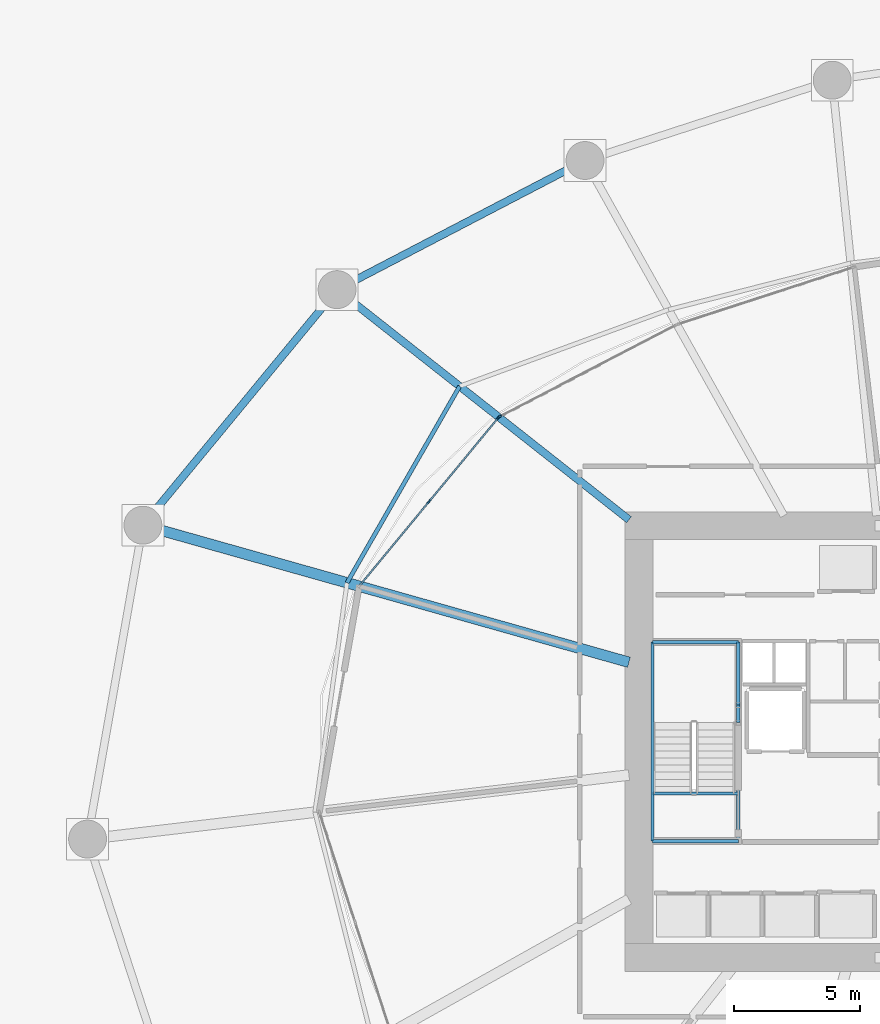
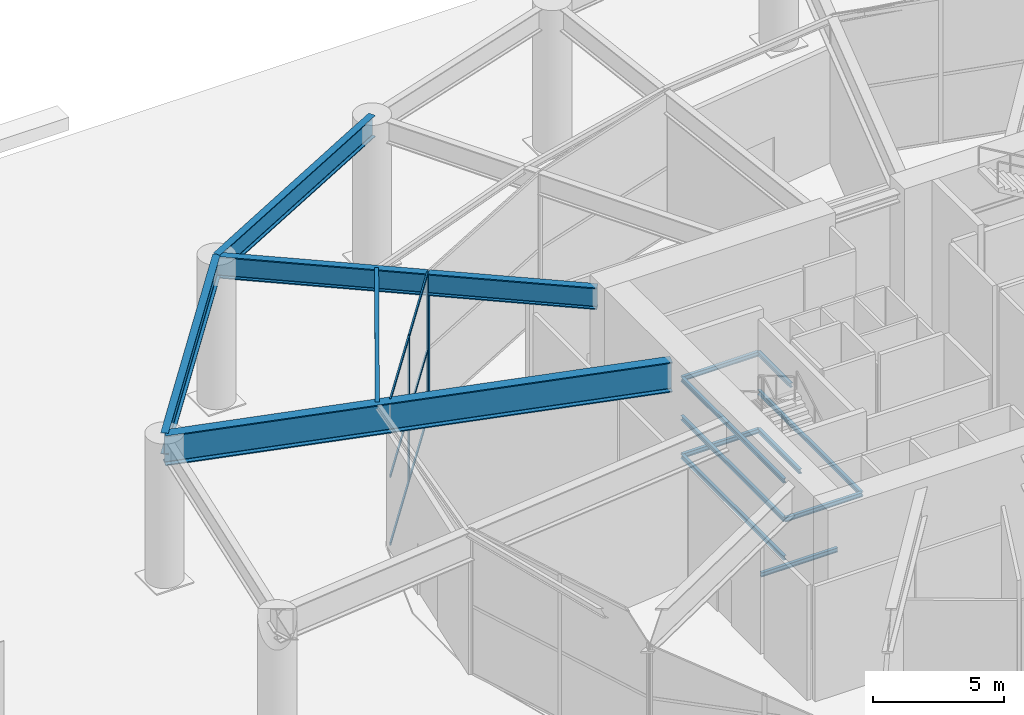
# One storey, part 10 of 28: 15 beams, 9 members, 2 elements without a shape of their own.
"""IFC4 building model written with IfcOpenShell, lengths in metres."""

from ifc_helpers import new_model, si_unit, direction, frame, origin, origin_2d, place, context, subcontext, project, spatial, rectangle, i_section, extrude, material, layer, layer_set, material_profile, profile_set, type_object, element, aggregate, save


model = new_model("IFC4")

# Units and contexts
model_context = context("Model", 3, precision=1e-05, world=origin(), true_north=direction((0.0, 1.0)))
body_context = subcontext(model_context, "Body", "Model", "MODEL_VIEW")
ifc_project = project(units=[si_unit("LENGTHUNIT", "METRE"), si_unit("AREAUNIT", "SQUARE_METRE"), si_unit("VOLUMEUNIT", "CUBIC_METRE"), si_unit("PLANEANGLEUNIT", "RADIAN"), si_unit("MASSUNIT", "GRAM", prefix="KILO")], contexts=[model_context])

# Site, building, storey
site_placement = place(None, origin())
site = spatial("IfcSite", under=ifc_project, at=site_placement, CompositionType="ELEMENT")
building_placement = place(site_placement, origin())
building = spatial("IfcBuilding", under=site, at=building_placement, Name="Kazma Halo Residences", CompositionType="ELEMENT")
storey_placement = place(building_placement, origin())
storey = spatial("IfcBuildingStorey", under=building, at=storey_placement, Name="L00", CompositionType="ELEMENT", Elevation=0.0)

# Beams
ifc_material_1 = material(Name="Steel S355", Category="steel")
ifc_material_profile_1 = material_profile(ifc_material_1, i_section(OverallWidth=0.1650390625, OverallDepth=0.31005859375, WebThickness=0.005859375, FlangeThickness=0.009765625, FilletRadius=0.011962890625, at=origin_2d()), Name="W310x38.7")
ifc_profile_set_1 = profile_set([ifc_material_profile_1], Name="Steel S355")
beam_type_1 = type_object("IfcBeamType", Name="BM-SEC-W310B", PredefinedType="JOIST", material=ifc_profile_set_1)
beam_1_placement = place(storey_placement, frame((30.145751953125, 56.0751953125, 6.64501953125), z_axis=(-0.497199727341, -0.867636116775, 0.0), x_axis=(0.867636116775, -0.497199727341, 0.0)))
element("IfcBeam", 1, at=beam_1_placement, inside=storey, type_object=beam_type_1, Name="L00 circumferential floor joist 06", PredefinedType="JOIST", context=body_context, shape_type="SweptSolid", body=[
    extrude(i_section(OverallWidth=0.1650390625, OverallDepth=0.31005859375, WebThickness=0.005859375, FlangeThickness=0.009765625, FilletRadius=0.011962890625, at=origin_2d()), origin(), (0.0, 0.0, 1.0), 8.96923828125),
])
ifc_material_profile_2 = material_profile(ifc_material_1, i_section(OverallWidth=0.419921875, OverallDepth=1.39990234375, WebThickness=0.02587890625, FlangeThickness=0.048095703125, FilletRadius=0.02392578125, at=origin_2d()), Name="PG1400x580")
ifc_profile_set_2 = profile_set([ifc_material_profile_2], Name="Steel S355")
beam_type_2 = type_object("IfcBeamType", Name="BM-TRANS-PG1400", PredefinedType="BEAM", material=ifc_profile_set_2)
beam_2_placement = place(storey_placement, frame((36.85009765625, 45.14453125, 6.10009765625), z_axis=(-0.962454909869, 0.271441607845, 0.0), x_axis=(-0.271441607845, -0.962454909869, 0.0)))
element("IfcBeam", 2, at=beam_2_placement, inside=storey, type_object=beam_type_2, Name="L00 lobe radial plate transfer girder 07", PredefinedType="BEAM", context=body_context, shape_type="SweptSolid", body=[
    extrude(i_section(OverallWidth=0.419921875, OverallDepth=1.39990234375, WebThickness=0.02587890625, FlangeThickness=0.048095703125, FilletRadius=0.02392578125, at=origin_2d()), origin(), (0.0, 0.0, 1.0), 19.99853515625),
])
ifc_material_profile_3 = material_profile(ifc_material_1, i_section(OverallWidth=0.302001953125, OverallDepth=1.01806640625, WebThickness=0.021484375, FlangeThickness=0.049072265625, FilletRadius=0.028076171875, at=origin_2d()), Name="W1000x443")
ifc_profile_set_3 = profile_set([ifc_material_profile_3], Name="Steel S355")
beam_type_3 = type_object("IfcBeamType", Name="BM-TRANS-W1000A", PredefinedType="BEAM", material=ifc_profile_set_3)
beam_3_placement = place(storey_placement, frame((36.85009765625, 50.7900390625, 6.291015625), z_axis=(-0.785321582594, 0.619088048594, 0.0), x_axis=(-0.619088048594, -0.785321582594, 0.0)))
element("IfcBeam", 3, at=beam_3_placement, inside=storey, type_object=beam_type_3, Name="L00 podium radial transfer girder 06", PredefinedType="BEAM", context=body_context, shape_type="SweptSolid", body=[
    extrude(i_section(OverallWidth=0.302001953125, OverallDepth=1.01806640625, WebThickness=0.021484375, FlangeThickness=0.049072265625, FilletRadius=0.028076171875, at=origin_2d()), origin(), (0.0, 0.0, 1.0), 14.718994140625),
])
ifc_material_profile_4 = material_profile(ifc_material_1, i_section(OverallWidth=0.300048828125, OverallDepth=1.0, WebThickness=0.01904296875, FlangeThickness=0.0400390625, FilletRadius=0.02587890625, at=origin_2d()), Name="W1000x371")
ifc_profile_set_4 = profile_set([ifc_material_profile_4], Name="Steel S355")
beam_type_4 = type_object("IfcBeamType", Name="BM-TRANS-W1000B", PredefinedType="BEAM", material=ifc_profile_set_4)
beam_4_placement = place(storey_placement, frame((35.110595703125, 65.015625, 6.300048828125), z_axis=(-0.886954171981, -0.461857442082, 0.0), x_axis=(0.461857442082, -0.886954171981, 0.0)))
element("IfcBeam", 4, at=beam_4_placement, inside=storey, type_object=beam_type_4, Name="L00 perimeter ring beam 05", PredefinedType="BEAM", context=body_context, shape_type="SweptSolid", body=[
    extrude(i_section(OverallWidth=0.300048828125, OverallDepth=1.0, WebThickness=0.01904296875, FlangeThickness=0.0400390625, FilletRadius=0.02587890625, at=origin_2d()), origin(), (0.0, 0.0, 1.0), 11.071044921875),
])
beam_5_placement = place(storey_placement, frame((25.291015625, 59.90234375, 6.300048828125), z_axis=(-0.635989643733, -0.771697591718, 0.0), x_axis=(0.771697591718, -0.635989643733, 0.0)))
element("IfcBeam", 5, at=beam_5_placement, inside=storey, type_object=beam_type_4, Name="L00 perimeter ring beam 06", PredefinedType="BEAM", context=body_context, shape_type="SweptSolid", body=[
    extrude(i_section(OverallWidth=0.300048828125, OverallDepth=1.0, WebThickness=0.01904296875, FlangeThickness=0.0400390625, FilletRadius=0.02587890625, at=origin_2d()), origin(), (0.0, 0.0, 1.0), 12.08935546875),
])
ifc_material_profile_5 = material_profile(ifc_material_1, i_section(OverallWidth=0.133056640625, OverallDepth=0.20703125, WebThickness=0.005859375, FlangeThickness=0.00830078125, FilletRadius=0.010009765625, at=origin_2d()), Name="W200x26.6")
ifc_profile_set_5 = profile_set([ifc_material_profile_5], Name="Steel S355")
beam_type_5 = type_object("IfcBeamType", Name="BM-TRIM-W200", PredefinedType="BEAM", material=ifc_profile_set_5)
beam_6_placement = place(storey_placement, frame((37.800048828125, 39.949951171875, -0.429931640625), z_axis=(1.0, 0.0, 0.0), x_axis=(0.0, 1.0, 0.0)))
element("IfcBeam", 6, at=beam_6_placement, inside=storey, type_object=beam_type_5, Name="L00 ST-01 floor landing support beam", PredefinedType="BEAM", context=body_context, shape_type="SweptSolid", body=[
    extrude(i_section(OverallWidth=0.133056640625, OverallDepth=0.20703125, WebThickness=0.005859375, FlangeThickness=0.00830078125, FilletRadius=0.010009765625, at=origin_2d()), origin(), (0.0, 0.0, 1.0), 3.3798828125),
])
beam_7_placement = place(storey_placement, frame((37.780029296875, 38.06005859375, 1.4951171875), z_axis=(0.0, 1.0, 0.0), x_axis=(-1.0, 0.0, 0.0)))
element("IfcBeam", 7, at=beam_7_placement, inside=storey, type_object=beam_type_5, Name="L00 ST-01 landing west wall ledger", PredefinedType="BEAM", context=body_context, shape_type="SweptSolid", body=[
    extrude(i_section(OverallWidth=0.133056640625, OverallDepth=0.20703125, WebThickness=0.005859375, FlangeThickness=0.00830078125, FilletRadius=0.010009765625, at=origin_2d()), origin(), (0.0, 0.0, 1.0), 7.8798828125),
])
beam_8_placement = place(storey_placement, frame((41.179931640625, 42.75, 1.4951171875), z_axis=(0.0, 1.0, 0.0), x_axis=(-1.0, 0.0, 0.0)))
element("IfcBeam", 8, at=beam_8_placement, inside=storey, type_object=beam_type_5, Name="L00 ST-01 landing east wall ledger", PredefinedType="BEAM", context=body_context, shape_type="SweptSolid", body=[
    extrude(i_section(OverallWidth=0.133056640625, OverallDepth=0.20703125, WebThickness=0.005859375, FlangeThickness=0.00830078125, FilletRadius=0.010009765625, at=origin_2d()), origin(), (0.0, 0.0, 1.0), 3.18994140625),
])
beam_9_placement = place(storey_placement, frame((37.780029296875, 45.93994140625, 1.4951171875), z_axis=(1.0, 0.0, 0.0), x_axis=(0.0, 1.0, 0.0)))
element("IfcBeam", 9, at=beam_9_placement, inside=storey, type_object=beam_type_5, Name="L00 ST-01 landing end wall ledger", PredefinedType="BEAM", context=body_context, shape_type="SweptSolid", body=[
    extrude(i_section(OverallWidth=0.133056640625, OverallDepth=0.20703125, WebThickness=0.005859375, FlangeThickness=0.00830078125, FilletRadius=0.010009765625, at=origin_2d()), origin(), (0.0, 0.0, 1.0), 3.39990234375),
])
for number, where, z_axis, x_axis, name in (
    (10, (37.780029296875, 38.06005859375, 3.294921875), (0.0, 1.0, 0.0), (-1.0, 0.0, 0.0), "L00 ST-01 landing west wall ledger"),
    (11, (41.179931640625, 38.06005859375, 3.294921875), (0.0, 1.0, 0.0), (-1.0, 0.0, 0.0), "L00 ST-01 landing east wall ledger"),
):
    element("IfcBeam", number, at=place(storey_placement, frame(where, z_axis=z_axis, x_axis=x_axis)), inside=storey, type_object=beam_type_5, Name=name, PredefinedType="BEAM", context=body_context, shape_type="SweptSolid", body=[
        extrude(i_section(OverallWidth=0.133056640625, OverallDepth=0.20703125, WebThickness=0.005859375, FlangeThickness=0.00830078125, FilletRadius=0.010009765625, at=origin_2d()), origin(), (0.0, 0.0, 1.0), 7.8798828125),
    ])
beam_10_placement = place(storey_placement, frame((37.780029296875, 38.06005859375, 3.294921875), z_axis=(1.0, 0.0, 0.0), x_axis=(0.0, 1.0, 0.0)))
element("IfcBeam", 12, at=beam_10_placement, inside=storey, type_object=beam_type_5, Name="L00 ST-01 landing end wall ledger", PredefinedType="BEAM", context=body_context, shape_type="SweptSolid", body=[
    extrude(i_section(OverallWidth=0.133056640625, OverallDepth=0.20703125, WebThickness=0.005859375, FlangeThickness=0.00830078125, FilletRadius=0.010009765625, at=origin_2d()), origin(), (0.0, 0.0, 1.0), 3.39990234375),
])
beam_11_placement = place(storey_placement, frame((37.780029296875, 38.06005859375, 5.094970703125), z_axis=(0.0, 1.0, 0.0), x_axis=(-1.0, 0.0, 0.0)))
element("IfcBeam", 13, at=beam_11_placement, inside=storey, type_object=beam_type_5, Name="L00 ST-01 landing west wall ledger", PredefinedType="BEAM", context=body_context, shape_type="SweptSolid", body=[
    extrude(i_section(OverallWidth=0.133056640625, OverallDepth=0.20703125, WebThickness=0.005859375, FlangeThickness=0.00830078125, FilletRadius=0.010009765625, at=origin_2d()), origin(), (0.0, 0.0, 1.0), 7.8798828125),
])
beam_12_placement = place(storey_placement, frame((41.179931640625, 43.449951171875, 5.094970703125), z_axis=(0.0, 1.0, 0.0), x_axis=(-1.0, 0.0, 0.0)))
element("IfcBeam", 14, at=beam_12_placement, inside=storey, type_object=beam_type_5, Name="L00 ST-01 landing east wall ledger", PredefinedType="BEAM", context=body_context, shape_type="SweptSolid", body=[
    extrude(i_section(OverallWidth=0.133056640625, OverallDepth=0.20703125, WebThickness=0.005859375, FlangeThickness=0.00830078125, FilletRadius=0.010009765625, at=origin_2d()), origin(), (0.0, 0.0, 1.0), 2.489990234375),
])
beam_13_placement = place(storey_placement, frame((37.780029296875, 45.93994140625, 5.094970703125), z_axis=(1.0, 0.0, 0.0), x_axis=(0.0, 1.0, 0.0)))
element("IfcBeam", 15, at=beam_13_placement, inside=storey, type_object=beam_type_5, Name="L00 ST-01 landing end wall ledger", PredefinedType="BEAM", context=body_context, shape_type="SweptSolid", body=[
    extrude(i_section(OverallWidth=0.133056640625, OverallDepth=0.20703125, WebThickness=0.005859375, FlangeThickness=0.00830078125, FilletRadius=0.010009765625, at=origin_2d()), origin(), (0.0, 0.0, 1.0), 3.39990234375),
])

# Curtain wall, member
ifc_material_2 = material(Name="Aluminium AW-6063 T6 and Triple-Silver Low-E Glass", Category="aluminium")
ifc_layer = layer(ifc_material_2, 0.179931640625)
ifc_layer_set = layer_set([ifc_layer], Name="Aluminium AW-6063 T6 and Triple-Silver Low-E Glass")
curtain_wall_type = type_object("IfcCurtainWallType", Name="CW-SYS-1", PredefinedType="NOTDEFINED", material=ifc_layer_set)
curtain_wall_1_placement = place(storey_placement, origin())
curtain_wall_1 = element("IfcCurtainWall", 16, at=curtain_wall_1_placement, inside=storey, type_object=curtain_wall_type, Name="L00 lobby unitised curtain wall 05", PredefinedType="NOTDEFINED")
ifc_material_3 = material(Name="Aluminium AW-6063 T6", Category="aluminium")
ifc_material_profile_6 = material_profile(ifc_material_3, rectangle(XDim=0.06494140625, YDim=0.179931640625, at=origin_2d()), Name="CWM-65x180")
ifc_profile_set_6 = profile_set([ifc_material_profile_6], Name="Aluminium AW-6063 T6")
member_type_1 = type_object("IfcMemberType", Name="CW-SYS-1-MUL", PredefinedType="MULLION", material=ifc_profile_set_6)
member_1_placement = place(storey_placement, frame((31.72509765625, 54.86767578125, 0.0), z_axis=(0.0, 0.0, 1.0), x_axis=(0.460683971456, -0.887564239052, 0.0)))
member_1 = element("IfcMember", 17, at=member_1_placement, type_object=member_type_1, Name="CWS-1 mullion 2", PredefinedType="MULLION", context=body_context, shape_type="SweptSolid", body=[
    extrude(rectangle(XDim=0.06494140625, YDim=0.179931640625, at=origin_2d()), origin(), (0.0, 0.0, 1.0), 6.800048828125),
])
aggregate(curtain_wall_1, [member_1])

# Curtain wall, members
curtain_wall_2_placement = place(storey_placement, origin())
curtain_wall_2 = element("IfcCurtainWall", 18, at=curtain_wall_2_placement, inside=storey, type_object=curtain_wall_type, Name="L00 lobby unitised curtain wall 06", PredefinedType="NOTDEFINED")
member_2_placement = place(storey_placement, frame((31.675537109375, 54.82763671875, 0.0), z_axis=(0.0, 0.0, 1.0), x_axis=(0.770944051001, -0.636902873463, 0.0)))
member_2 = element("IfcMember", 19, at=member_2_placement, type_object=member_type_1, Name="CWS-1 mullion 1", PredefinedType="MULLION", context=body_context, shape_type="SweptSolid", body=[
    extrude(rectangle(XDim=0.06494140625, YDim=0.179931640625, at=origin_2d()), origin(), (0.0, 0.0, 1.0), 6.800048828125),
])
member_3_placement = place(storey_placement, frame((28.930908203125, 51.50537109375, 0.0), z_axis=(0.0, 0.0, 1.0), x_axis=(0.770944051001, -0.636902873463, 0.0)))
member_3 = element("IfcMember", 20, at=member_3_placement, type_object=member_type_1, Name="CWS-1 mullion 2", PredefinedType="MULLION", context=body_context, shape_type="SweptSolid", body=[
    extrude(rectangle(XDim=0.06494140625, YDim=0.179931640625, at=origin_2d()), origin(), (0.0, 0.0, 1.0), 6.800048828125),
])
ifc_material_profile_7 = material_profile(ifc_material_3, rectangle(XDim=0.06494140625, YDim=0.135009765625, at=origin_2d()), Name="CWT-65x135")
ifc_profile_set_7 = profile_set([ifc_material_profile_7], Name="Aluminium AW-6063 T6")
member_type_2 = type_object("IfcMemberType", Name="CW-SYS-1-TRN", PredefinedType="USERDEFINED", material=ifc_profile_set_7)
member_4_placement = place(storey_placement, frame((31.65478515625, 54.802734375, 0.032470703125), z_axis=(-0.63687996048, -0.770962979616, 0.0), x_axis=(0.770962979616, -0.63687996048, 0.0)))
member_4 = element("IfcMember", 21, at=member_4_placement, type_object=member_type_2, Name="CWS-1 transom 1.1", ObjectType="TRANSOM", PredefinedType="USERDEFINED", context=body_context, shape_type="SweptSolid", body=[
    extrude(rectangle(XDim=0.06494140625, YDim=0.135009765625, at=origin_2d()), origin(), (0.0, 0.0, 1.0), 4.244384765625),
])
member_5_placement = place(storey_placement, frame((31.65478515625, 54.802734375, 3.199951171875), z_axis=(-0.63687996048, -0.770962979616, 0.0), x_axis=(0.770962979616, -0.63687996048, 0.0)))
member_5 = element("IfcMember", 22, at=member_5_placement, type_object=member_type_2, Name="CWS-1 transom 1.2", ObjectType="TRANSOM", PredefinedType="USERDEFINED", context=body_context, shape_type="SweptSolid", body=[
    extrude(rectangle(XDim=0.06494140625, YDim=0.135009765625, at=origin_2d()), origin(), (0.0, 0.0, 1.0), 4.244384765625),
])
member_6_placement = place(storey_placement, frame((31.65478515625, 54.802734375, 6.767578125), z_axis=(-0.63687996048, -0.770962979616, 0.0), x_axis=(0.770962979616, -0.63687996048, 0.0)))
member_6 = element("IfcMember", 23, at=member_6_placement, type_object=member_type_2, Name="CWS-1 transom 1.3", ObjectType="TRANSOM", PredefinedType="USERDEFINED", context=body_context, shape_type="SweptSolid", body=[
    extrude(rectangle(XDim=0.06494140625, YDim=0.135009765625, at=origin_2d()), origin(), (0.0, 0.0, 1.0), 4.244384765625),
])
member_7_placement = place(storey_placement, frame((28.91015625, 51.480224609375, 0.032470703125), z_axis=(-0.636914148558, -0.770934736126, 0.0), x_axis=(0.770934736126, -0.636914148558, 0.0)))
member_7 = element("IfcMember", 24, at=member_7_placement, type_object=member_type_2, Name="CWS-1 transom 2.1", ObjectType="TRANSOM", PredefinedType="USERDEFINED", context=body_context, shape_type="SweptSolid", body=[
    extrude(rectangle(XDim=0.06494140625, YDim=0.135009765625, at=origin_2d()), origin(), (0.0, 0.0, 1.0), 4.244384765625),
])
member_8_placement = place(storey_placement, frame((28.91015625, 51.480224609375, 3.199951171875), z_axis=(-0.636914148558, -0.770934736126, 0.0), x_axis=(0.770934736126, -0.636914148558, 0.0)))
member_8 = element("IfcMember", 25, at=member_8_placement, type_object=member_type_2, Name="CWS-1 transom 2.2", ObjectType="TRANSOM", PredefinedType="USERDEFINED", context=body_context, shape_type="SweptSolid", body=[
    extrude(rectangle(XDim=0.06494140625, YDim=0.135009765625, at=origin_2d()), origin(), (0.0, 0.0, 1.0), 4.244384765625),
])
member_9_placement = place(storey_placement, frame((28.91015625, 51.480224609375, 6.767578125), z_axis=(-0.636914148558, -0.770934736126, 0.0), x_axis=(0.770934736126, -0.636914148558, 0.0)))
member_9 = element("IfcMember", 26, at=member_9_placement, type_object=member_type_2, Name="CWS-1 transom 2.3", ObjectType="TRANSOM", PredefinedType="USERDEFINED", context=body_context, shape_type="SweptSolid", body=[
    extrude(rectangle(XDim=0.06494140625, YDim=0.135009765625, at=origin_2d()), origin(), (0.0, 0.0, 1.0), 4.244384765625),
])
aggregate(curtain_wall_2, [member_2, member_3, member_4, member_5, member_6, member_7, member_8, member_9])

save(model, "model.ifc")
